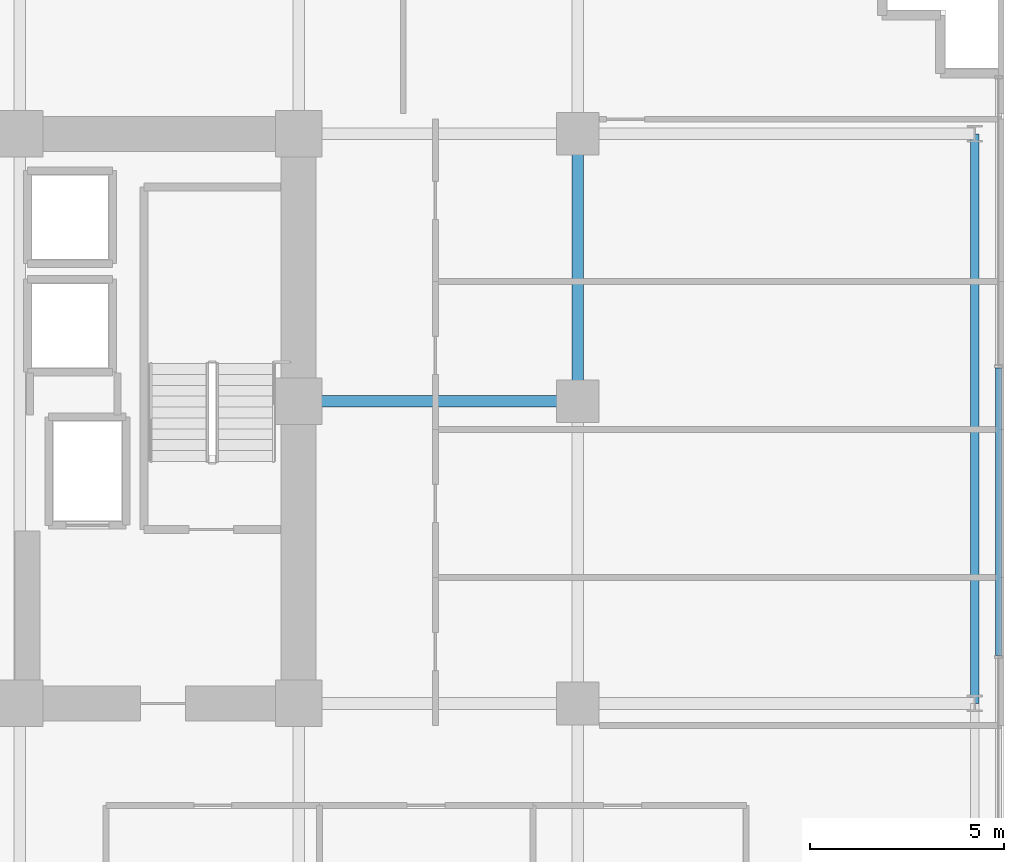
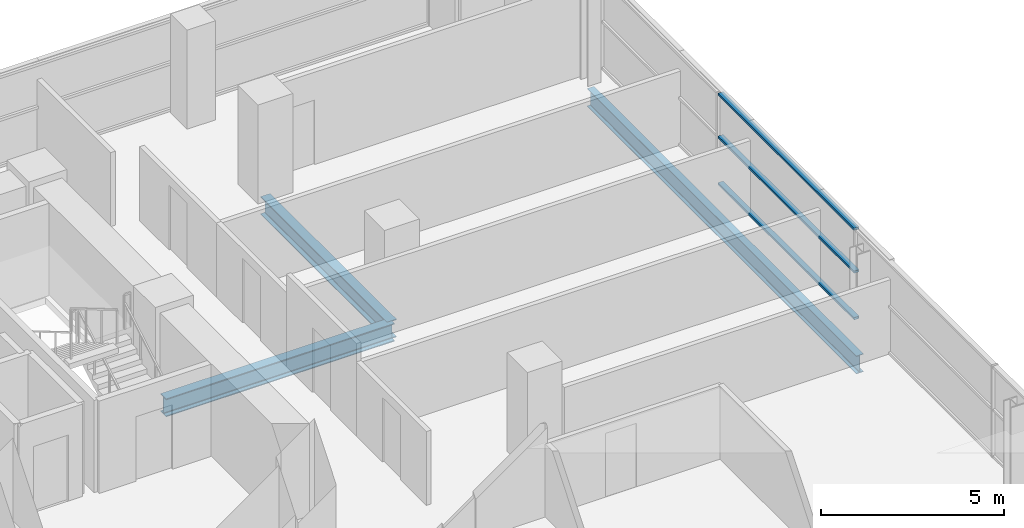
# One storey, part 16 of 32: 3 beams, 3 members, 1 element without a shape of its own.
"""IFC4 building model written with IfcOpenShell, lengths in metres."""

import ifcopenshell
import ifcopenshell.guid

model = None  # the IFC model being written
_history = None  # IfcOwnerHistory: only IFC2X3 demands one
_inside = {}  # id of a spatial element -> (the spatial element, [elements in it])
_under = {}  # id of a project, library or spatial element -> (it, [spatial elements below it])
_declared = {}  # id of a project -> (the project, [libraries it declares])
_typed = {}  # id of a type object -> (the type object, [elements of that type])
_made_of = {}  # id of a material, layer set ... -> (it, [elements and type objects made of it])


def new_model(schema):
    """Start an empty IFC model of exactly this schema.

    Asked for "IFC4X3", IfcOpenShell would pick the latest addendum, in which some entities
    have other attributes; the version numbers below select the first issue.
    IFC2X3 requires an IfcOwnerHistory on every rooted entity: one is made here for all.
    """
    global model, _history
    if schema == "IFC4X3":
        model = ifcopenshell.file(schema_version=(4, 3, 0, 0))
    else:
        model = ifcopenshell.file(schema=schema)
    _inside.clear()
    _under.clear()
    _declared.clear()
    _typed.clear()
    _made_of.clear()
    _history = None
    if model.schema == "IFC2X3":
        org = make("IfcOrganization", Name="unknown")
        user = make(
            "IfcPersonAndOrganization",
            ThePerson=make("IfcPerson", FamilyName="unknown"),
            TheOrganization=org,
        )
        app = make(
            "IfcApplication",
            ApplicationDeveloper=org,
            Version="unknown",
            ApplicationFullName="unknown",
            ApplicationIdentifier="unknown",
        )
        _history = make(
            "IfcOwnerHistory",
            OwningUser=user,
            OwningApplication=app,
            ChangeAction="ADDED",
            CreationDate=0,
        )
    return model


def make(cls, **values):
    """One entity of the class cls with the attributes given. An attribute that is None is left unset."""
    return model.create_entity(
        cls, **{name: value for name, value in values.items() if value is not None}
    )


def rooted(cls, **values):
    """An entity with a GlobalId (a new one), such as an element, a storey or a relation."""
    return make(cls, GlobalId=ifcopenshell.guid.new(), OwnerHistory=_history, **values)


def si_unit(unit_type, name, prefix=None):
    """IfcSIUnit, for example si_unit("LENGTHUNIT", "METRE", prefix="MILLI")."""
    return make("IfcSIUnit", UnitType=unit_type, Prefix=prefix, Name=name)


def assignment(units):
    """IfcUnitAssignment: the units of a project."""
    return None if units is None else make("IfcUnitAssignment", Units=units)


def point(xyz):
    """IfcCartesianPoint."""
    return None if xyz is None else make("IfcCartesianPoint", Coordinates=xyz)


def direction(xyz):
    """IfcDirection."""
    return None if xyz is None else make("IfcDirection", DirectionRatios=xyz)


def frame(location, z_axis=None, x_axis=None):
    """IfcAxis2Placement3D, a coordinate frame: its origin and axes. An axis left out is left unset."""
    return make(
        "IfcAxis2Placement3D",
        Location=point(location),
        Axis=direction(z_axis),
        RefDirection=direction(x_axis),
    )


def frame_2d(location, x_axis=None):
    """IfcAxis2Placement2D, a coordinate frame in the plane: its origin and x axis."""
    return make(
        "IfcAxis2Placement2D", Location=point(location), RefDirection=direction(x_axis)
    )


def origin():
    """The frame at (0, 0, 0) with its axes left unset."""
    return frame((0.0, 0.0, 0.0))


def origin_2d():
    """The frame at (0, 0) in the plane with its x axis left unset."""
    return frame_2d((0.0, 0.0))


def place(relative_to, where):
    """IfcLocalPlacement: puts the frame where relative to a parent placement (None: the world)."""
    return make(
        "IfcLocalPlacement", PlacementRelTo=relative_to, RelativePlacement=where
    )


def context(
    kind, dimensions, precision=None, world=None, true_north=None, identifier=None
):
    """IfcGeometricRepresentationContext, for example the 3D "Model" context."""
    return make(
        "IfcGeometricRepresentationContext",
        ContextIdentifier=identifier,
        ContextType=kind,
        CoordinateSpaceDimension=dimensions,
        Precision=precision,
        WorldCoordinateSystem=world,
        TrueNorth=true_north,
    )


def subcontext(parent, identifier, kind, view, scale=None):
    """IfcGeometricRepresentationSubContext, for example "Body" below "Model"."""
    return make(
        "IfcGeometricRepresentationSubContext",
        ContextIdentifier=identifier,
        ContextType=kind,
        ParentContext=parent,
        TargetScale=scale,
        TargetView=view,
    )


def project(units=None, contexts=None):
    """IfcProject with its units and contexts."""
    return rooted(
        "IfcProject",
        Name="project",
        RepresentationContexts=contexts,
        UnitsInContext=assignment(units),
    )


def spatial(cls, under=None, at=None, **own):
    """A site, building, storey or space (cls), placed at a placement, below another one or the project."""
    s = rooted(cls, ObjectPlacement=at, **own)
    if under is not None:
        _under.setdefault(under.id(), (under, []))[1].append(s)
    return s


def profile(cls, at=None, kind="AREA", **sizes):
    """A parametric profile (cls). Its sizes go by their IFC names, for example OverallWidth=200.0."""
    return make(cls, ProfileType=kind, Position=at, **sizes)


def hollow_rectangle(**sizes):
    """IfcRectangleHollowProfileDef."""
    return profile("IfcRectangleHollowProfileDef", **sizes)


def i_section(**sizes):
    """IfcIShapeProfileDef."""
    return profile("IfcIShapeProfileDef", **sizes)


def extrude(swept, where, along, depth):
    """IfcExtrudedAreaSolid: the profile swept, set in the frame where, extruded along a direction by depth."""
    return make(
        "IfcExtrudedAreaSolid",
        SweptArea=swept,
        Position=where,
        ExtrudedDirection=direction(along),
        Depth=depth,
    )


def shape(context_of_items, identifier, shape_type, items):
    """IfcShapeRepresentation: the items that make up one representation, for example the "Body"."""
    return make(
        "IfcShapeRepresentation",
        ContextOfItems=context_of_items,
        RepresentationIdentifier=identifier,
        RepresentationType=shape_type,
        Items=items,
    )


def source(mapping_origin, context_of_items, identifier, shape_type, items):
    """IfcRepresentationMap: a shape defined once, which mapped items show again and again."""
    return make(
        "IfcRepresentationMap",
        MappingOrigin=mapping_origin,
        MappedRepresentation=shape(context_of_items, identifier, shape_type, items),
    )


def transform(
    local_origin,
    x_axis=None,
    y_axis=None,
    z_axis=None,
    scale=None,
    scale2=None,
    scale3=None,
    uniform=True,
):
    """IfcCartesianTransformationOperator3D, or its non-uniform kind. x_axis, y_axis, z_axis: its Axis1, 2, 3."""
    if uniform:
        return make(
            "IfcCartesianTransformationOperator3D",
            Axis1=direction(x_axis),
            Axis2=direction(y_axis),
            LocalOrigin=point(local_origin),
            Scale=scale,
            Axis3=direction(z_axis),
        )
    return make(
        "IfcCartesianTransformationOperator3DnonUniform",
        Axis1=direction(x_axis),
        Axis2=direction(y_axis),
        LocalOrigin=point(local_origin),
        Scale=scale,
        Axis3=direction(z_axis),
        Scale2=scale2,
        Scale3=scale3,
    )


def mapped(mapping_source, mapping_target):
    """IfcMappedItem: shows the shape of a source again, moved by a transform."""
    return make(
        "IfcMappedItem", MappingSource=mapping_source, MappingTarget=mapping_target
    )


def material(Name=None, Category=None):
    """IfcMaterial."""
    return make("IfcMaterial", Name=Name, Category=Category)


def layer(
    of_material, thickness, ventilated=None, Name=None, Category=None, Priority=None
):
    """IfcMaterialLayer: one layer of a wall or slab, of a material (None: an air gap)."""
    return make(
        "IfcMaterialLayer",
        Material=of_material,
        LayerThickness=thickness,
        IsVentilated=ventilated,
        Name=Name,
        Category=Category,
        Priority=Priority,
    )


def layer_set(layers, Name=None):
    """IfcMaterialLayerSet."""
    return make("IfcMaterialLayerSet", MaterialLayers=layers, LayerSetName=Name)


def material_profile(
    of_material, cross_section, Name=None, Category=None, Priority=None
):
    """IfcMaterialProfile: a cross section and its material."""
    return make(
        "IfcMaterialProfile",
        Name=Name,
        Material=of_material,
        Profile=cross_section,
        Priority=Priority,
        Category=Category,
    )


def profile_set(profiles, Name=None, composite=None):
    """IfcMaterialProfileSet."""
    return make(
        "IfcMaterialProfileSet",
        Name=Name,
        MaterialProfiles=profiles,
        CompositeProfile=composite,
    )


def made_of(thing, what):
    """Note that an element or type object is made of a material, layer set ...; save() writes the relation."""
    if what is not None:
        _made_of.setdefault(what.id(), (what, []))[1].append(thing)
    return thing


def type_object(cls, material=None, **own):
    """A type object (cls), such as IfcWallType, which elements share."""
    return made_of(rooted(cls, **own), material)


def element(
    cls,
    number,
    at=None,
    inside=None,
    cuts=None,
    type_object=None,
    material=None,
    context=None,
    identifier="Body",
    shape_type=None,
    held_by="IfcProductDefinitionShape",
    body=None,
    shapes=None,
    **own,
):
    """One element of the class cls, such as IfcWall. Its Tag is "e" and its number.

    at: its placement. inside: the storey or other place that contains it. cuts: it is an
    opening in that element (IfcRelVoidsElement). A single representation is given by context,
    identifier, shape_type and body (its items); several are given by shapes. held_by: the class
    of the entity that holds the representations. save() writes the other relations.
    """
    e = rooted(cls, Tag="e%d" % number, ObjectPlacement=at, **own)
    if body is not None:
        shapes = [shape(context, identifier, shape_type, body)]
    if shapes is not None:
        e.Representation = make(held_by, Representations=shapes)
    if inside is not None:
        _inside.setdefault(inside.id(), (inside, []))[1].append(e)
    if cuts is not None:
        rooted(
            "IfcRelVoidsElement", RelatingBuildingElement=cuts, RelatedOpeningElement=e
        )
    if type_object is not None:
        _typed.setdefault(type_object.id(), (type_object, []))[1].append(e)
    return made_of(e, material)


def aggregate(whole, parts):
    """IfcRelAggregates: a whole, such as a stair, and the parts it consists of."""
    return rooted("IfcRelAggregates", RelatingObject=whole, RelatedObjects=parts)


def save(model, path):
    """Write the relations noted so far, then the file.

    IfcRelAggregates (storeys below a building ...), IfcRelContainedInSpatialStructure (elements
    in a storey), IfcRelDefinesByType, IfcRelAssociatesMaterial and IfcRelDeclares: one each for
    every whole, place, type object, material and project.
    """
    for whole, parts in _under.values():
        aggregate(whole, parts)
    for where, things in _inside.values():
        rooted(
            "IfcRelContainedInSpatialStructure",
            RelatedElements=things,
            RelatingStructure=where,
        )
    for kind, things in _typed.values():
        rooted("IfcRelDefinesByType", RelatedObjects=things, RelatingType=kind)
    for what, things in _made_of.values():
        rooted("IfcRelAssociatesMaterial", RelatedObjects=things, RelatingMaterial=what)
    for by, libraries in _declared.values():
        rooted("IfcRelDeclares", RelatingContext=by, RelatedDefinitions=libraries)
    model.write(path)


model = new_model("IFC4")

# Units and contexts
model_context = context("Model", 3, precision=1e-05, world=origin(), true_north=direction((0.0, 1.0)))
body_context = subcontext(model_context, "Body", "Model", "MODEL_VIEW")
ifc_project = project(units=[si_unit("LENGTHUNIT", "METRE"), si_unit("AREAUNIT", "SQUARE_METRE"), si_unit("VOLUMEUNIT", "CUBIC_METRE"), si_unit("PLANEANGLEUNIT", "RADIAN"), si_unit("MASSUNIT", "GRAM", prefix="KILO")], contexts=[model_context])

# Site, building, storey
site_placement = place(None, origin())
site = spatial("IfcSite", under=ifc_project, at=site_placement, CompositionType="ELEMENT")
building_placement = place(site_placement, origin())
building = spatial("IfcBuilding", under=site, at=building_placement, Name="Zarnakvel Exchange Tower", CompositionType="ELEMENT")
storey_placement = place(building_placement, frame((0.0, 0.0, 73.60009765625)))
storey = spatial("IfcBuildingStorey", under=building, at=storey_placement, Name="L20", CompositionType="ELEMENT", Elevation=73.60009765625)

# Beams
ifc_material_1 = material(Name="Steel S355", Category="steel")
ifc_material_profile_1 = material_profile(ifc_material_1, i_section(OverallWidth=0.300048828125, OverallDepth=0.60009765625, WebThickness=0.015380859375, FlangeThickness=0.030029296875, FilletRadius=0.027099609375, at=origin_2d()))
ifc_profile_set_1 = profile_set([ifc_material_profile_1], Name="Steel S355")
beam_type_1 = type_object("IfcBeamType", Name="G-04", PredefinedType="BEAM", material=ifc_profile_set_1)
beam_1_placement = place(storey_placement, frame((14.39990234375, 6.60009765625, -0.525146484375), z_axis=(1.0, 0.0, 0.0), x_axis=(0.0, 1.0, 0.0)))
element("IfcBeam", 1, at=beam_1_placement, inside=storey, type_object=beam_type_1, Name="L20 Tower E-W Frame Beam", PredefinedType="BEAM", context=body_context, shape_type="SweptSolid", body=[
    extrude(i_section(OverallWidth=0.300048828125, OverallDepth=0.60009765625, WebThickness=0.015380859375, FlangeThickness=0.030029296875, FilletRadius=0.027099609375, at=origin_2d()), origin(), (0.0, 0.0, 1.0), 7.2001953125),
])
beam_2_placement = place(storey_placement, frame((21.60009765625, 6.60009765625, -0.525146484375), z_axis=(0.0, 1.0, 0.0), x_axis=(-1.0, 0.0, 0.0)))
element("IfcBeam", 2, at=beam_2_placement, inside=storey, type_object=beam_type_1, Name="L20 Tower N-S Frame Beam", PredefinedType="BEAM", context=body_context, shape_type="SweptSolid", body=[
    extrude(i_section(OverallWidth=0.300048828125, OverallDepth=0.60009765625, WebThickness=0.015380859375, FlangeThickness=0.030029296875, FilletRadius=0.027099609375, at=origin_2d()), origin(), (0.0, 0.0, 1.0), 6.89990234375),
])
ifc_material_profile_2 = material_profile(ifc_material_1, i_section(OverallWidth=0.219970703125, OverallDepth=0.60009765625, WebThickness=0.011962890625, FlangeThickness=0.01904296875, FilletRadius=0.02392578125, at=origin_2d()))
ifc_profile_set_2 = profile_set([ifc_material_profile_2], Name="Steel S355")
beam_type_2 = type_object("IfcBeamType", Name="SP-01", PredefinedType="SPANDREL", material=ifc_profile_set_2)
beam_3_placement = place(storey_placement, frame((31.85009765625, -1.199951171875, -0.525146484375), z_axis=(0.0, 1.0, 0.0), x_axis=(-1.0, 0.0, 0.0)))
element("IfcBeam", 3, at=beam_3_placement, inside=storey, type_object=beam_type_2, Name="L20 Tower N-S Frame Beam", PredefinedType="SPANDREL", context=body_context, shape_type="SweptSolid", body=[
    extrude(i_section(OverallWidth=0.219970703125, OverallDepth=0.60009765625, WebThickness=0.011962890625, FlangeThickness=0.01904296875, FilletRadius=0.02392578125, at=origin_2d()), origin(), (0.0, 0.0, 1.0), 14.699951171875),
])

# Curtain wall, members
ifc_material_2 = material(Name="Architectural Bronze Anodised Aluminium", Category="aluminium")
ifc_layer = layer(ifc_material_2, 0.199951171875)
ifc_layer_set = layer_set([ifc_layer], Name="Architectural Bronze Anodised Aluminium")
curtain_wall_type = type_object("IfcCurtainWallType", Name="CW-04", PredefinedType="NOTDEFINED", material=ifc_layer_set)
curtain_wall_placement = place(storey_placement, origin())
curtain_wall = element("IfcCurtainWall", 4, at=curtain_wall_placement, inside=storey, type_object=curtain_wall_type, Name="L20 Curtain Wall CW-L20-E1 (CW-04)", PredefinedType="NOTDEFINED")
ifc_material_profile_3 = material_profile(ifc_material_2, hollow_rectangle(XDim=0.159912109375, YDim=0.074951171875, WallThickness=0.00390625, at=origin_2d()))
ifc_profile_set_3 = profile_set([ifc_material_profile_3], Name="Architectural Bronze Anodised Aluminium")
member_type = type_object("IfcMemberType", Name="CWT-04", PredefinedType="USERDEFINED", material=ifc_profile_set_3)
shared_shape = source(origin(), body_context, "Body", "SweptSolid", [
    extrude(hollow_rectangle(XDim=0.159912109375, YDim=0.074951171875, WallThickness=0.00390625, at=origin_2d()), origin(), (0.0, 0.0, 1.0), 7.4248046875),
])
member_1_placement = place(storey_placement, frame((32.4599609375, 0.03759765625, 0.037353515625), z_axis=(0.0, 1.0, 0.0), x_axis=(-1.0, 0.0, 0.0)))
member_1 = element("IfcMember", 5, at=member_1_placement, type_object=member_type, Name="CW-04 transom 3.1", ObjectType="TRANSOM", PredefinedType="USERDEFINED", context=body_context, shape_type="MappedRepresentation", body=[
    mapped(shared_shape, transform((0.0, 0.0, 0.0), x_axis=(1.0, 0.0, 0.0), y_axis=(0.0, 1.0, 0.0), z_axis=(0.0, 0.0, 1.0), scale=1.0)),
])
member_2_placement = place(storey_placement, frame((32.4599609375, 0.03759765625, 1.588623046875), z_axis=(0.0, 1.0, 0.0), x_axis=(-1.0, 0.0, 0.0)))
member_2 = element("IfcMember", 6, at=member_2_placement, type_object=member_type, Name="CW-04 transom 3.2", ObjectType="TRANSOM", PredefinedType="USERDEFINED", context=body_context, shape_type="MappedRepresentation", body=[
    mapped(shared_shape, transform((0.0, 0.0, 0.0), x_axis=(1.0, 0.0, 0.0), y_axis=(0.0, 1.0, 0.0), z_axis=(0.0, 0.0, 1.0), scale=1.0)),
])
member_3_placement = place(storey_placement, frame((32.4599609375, 0.03759765625, 3.017333984375), z_axis=(0.0, 1.0, 0.0), x_axis=(-1.0, 0.0, 0.0)))
member_3 = element("IfcMember", 7, at=member_3_placement, type_object=member_type, Name="CW-04 transom 3.3", ObjectType="TRANSOM", PredefinedType="USERDEFINED", context=body_context, shape_type="MappedRepresentation", body=[
    mapped(shared_shape, transform((0.0, 0.0, 0.0), x_axis=(1.0, 0.0, 0.0), y_axis=(0.0, 1.0, 0.0), z_axis=(0.0, 0.0, 1.0), scale=1.0)),
])
aggregate(curtain_wall, [member_1, member_2, member_3])

save(model, "model.ifc")
